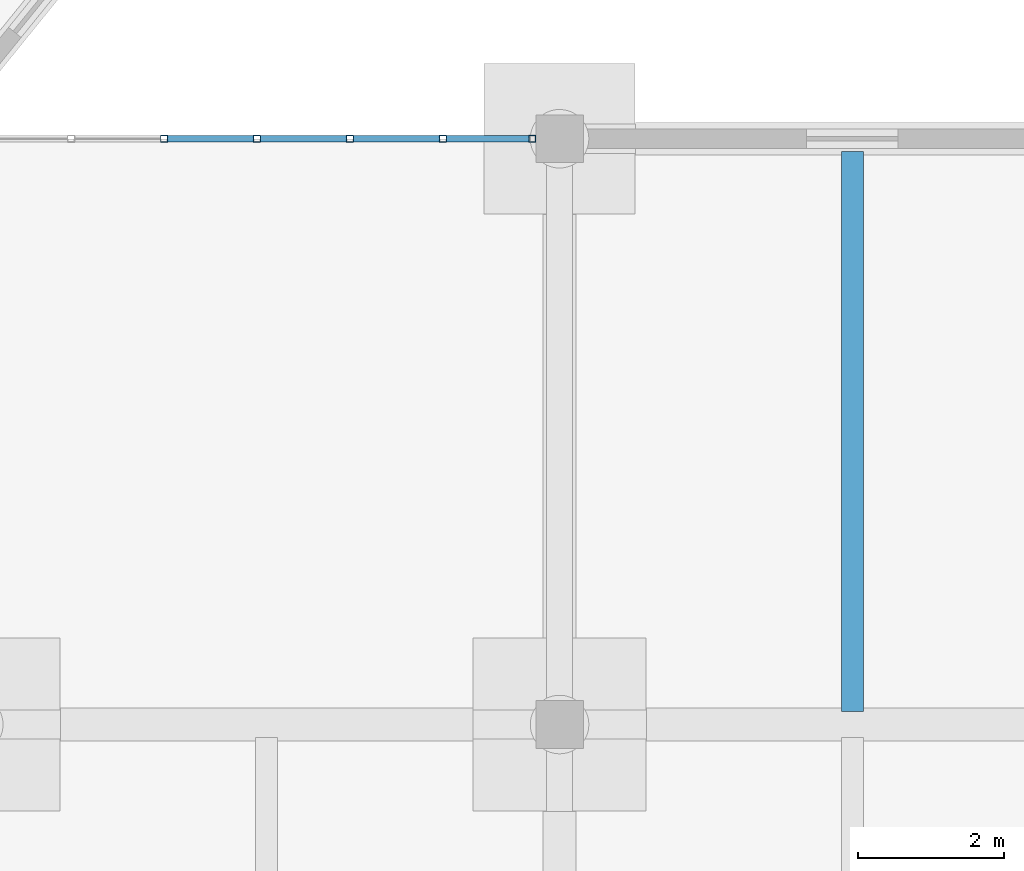
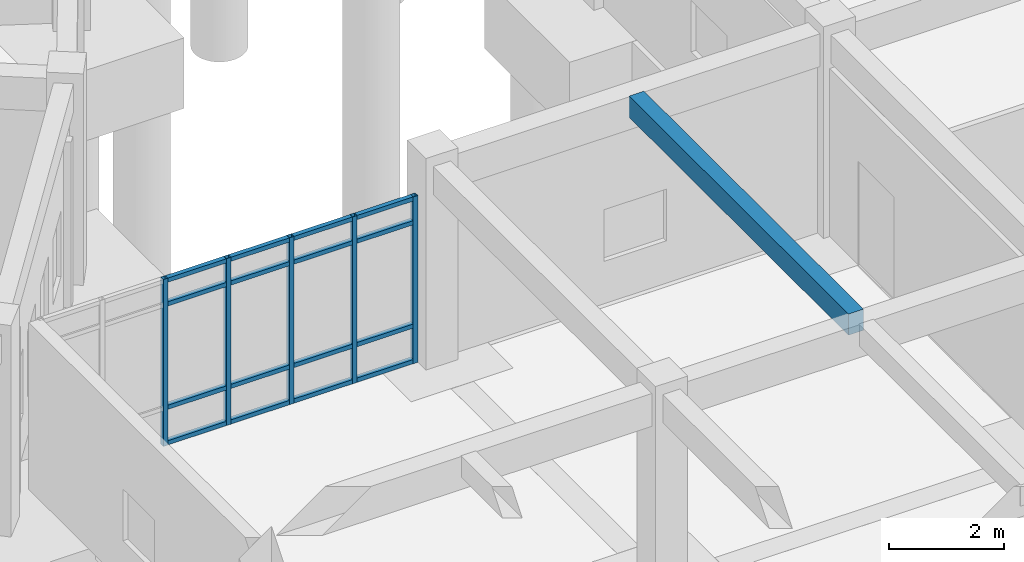
# One storey, part 83 of 153: 21 members, 1 beam, 1 element without a shape of its own.
"""IFC4 building model written with IfcOpenShell, lengths in metres."""

from ifc_helpers import new_model, si_unit, direction, frame, origin, origin_2d, place, context, subcontext, project, spatial, rectangle, hollow_rectangle, extrude, material, material_profile, profile_set, type_object, element, aggregate, save


model = new_model("IFC4")

# Units and contexts
model_context = context("Model", 3, precision=1e-05, world=origin(), true_north=direction((0.0, 1.0)))
body_context = subcontext(model_context, "Body", "Model", "MODEL_VIEW")
ifc_project = project(units=[si_unit("LENGTHUNIT", "METRE"), si_unit("AREAUNIT", "SQUARE_METRE"), si_unit("VOLUMEUNIT", "CUBIC_METRE"), si_unit("PLANEANGLEUNIT", "RADIAN"), si_unit("MASSUNIT", "GRAM", prefix="KILO")], contexts=[model_context])

# Site, building, storey
site_placement = place(None, origin())
site = spatial("IfcSite", under=ifc_project, at=site_placement, CompositionType="ELEMENT")
building_placement = place(site_placement, origin())
building = spatial("IfcBuilding", under=site, at=building_placement, Name="Celadon Cloister-Ring School", CompositionType="ELEMENT")
storey_placement = place(building_placement, origin())
storey = spatial("IfcBuildingStorey", under=building, at=storey_placement, Name="L00", CompositionType="ELEMENT", Elevation=0.0)

# Curtain wall, members
ifc_material_1 = material(Name="Aluminium EN AW-6063 T6", Category="aluminium")
curtain_wall_type = type_object("IfcCurtainWallType", Name="CW-10", PredefinedType="USERDEFINED", material=ifc_material_1)
curtain_wall_placement = place(storey_placement, origin())
curtain_wall = element("IfcCurtainWall", 1, at=curtain_wall_placement, inside=storey, type_object=curtain_wall_type, Name="Curtain Wall 0189", ObjectType="CURTAIN WALL", PredefinedType="USERDEFINED")
ifc_material_2 = material(Name="Aluminium EN AW-6063 T6", Category="aluminium")
ifc_material_profile_1 = material_profile(ifc_material_2, hollow_rectangle(XDim=0.094970703125, YDim=0.094970703125, WallThickness=0.00390625, at=origin_2d()), Name="RHS95X95X4")
ifc_profile_set_1 = profile_set([ifc_material_profile_1], Name="Aluminium EN AW-6063 T6")
member_type_1 = type_object("IfcMemberType", Name="CM-02", PredefinedType="MULLION", material=ifc_profile_set_1)
member_1_placement = place(storey_placement, frame((128.598388671875, 24.0, 0.0), z_axis=(0.0, 0.0, 1.0), x_axis=(0.0, 1.0, 0.0)))
member_1 = element("IfcMember", 2, at=member_1_placement, type_object=member_type_1, Name="CW-10 mullion 3", PredefinedType="MULLION", context=body_context, shape_type="SweptSolid", body=[
    extrude(hollow_rectangle(XDim=0.094970703125, YDim=0.094970703125, WallThickness=0.00390625, at=origin_2d()), origin(), (0.0, 0.0, 1.0), 3.550048828125),
])
member_2_placement = place(storey_placement, frame((129.867431640625, 24.0, 0.0), z_axis=(0.0, 0.0, 1.0), x_axis=(0.0, 1.0, 0.0)))
member_2 = element("IfcMember", 3, at=member_2_placement, type_object=member_type_1, Name="CW-10 mullion 4", PredefinedType="MULLION", context=body_context, shape_type="SweptSolid", body=[
    extrude(hollow_rectangle(XDim=0.094970703125, YDim=0.094970703125, WallThickness=0.00390625, at=origin_2d()), origin(), (0.0, 0.0, 1.0), 3.550048828125),
])
member_3_placement = place(storey_placement, frame((131.13671875, 24.0, 0.0), z_axis=(0.0, 0.0, 1.0), x_axis=(0.0, 1.0, 0.0)))
member_3 = element("IfcMember", 4, at=member_3_placement, type_object=member_type_1, Name="CW-10 mullion 5", PredefinedType="MULLION", context=body_context, shape_type="SweptSolid", body=[
    extrude(hollow_rectangle(XDim=0.094970703125, YDim=0.094970703125, WallThickness=0.00390625, at=origin_2d()), origin(), (0.0, 0.0, 1.0), 3.550048828125),
])
member_4_placement = place(storey_placement, frame((132.40576171875, 24.0, 0.0), z_axis=(0.0, 0.0, 1.0), x_axis=(0.0, 1.0, 0.0)))
member_4 = element("IfcMember", 5, at=member_4_placement, type_object=member_type_1, Name="CW-10 mullion 6", PredefinedType="MULLION", context=body_context, shape_type="SweptSolid", body=[
    extrude(hollow_rectangle(XDim=0.094970703125, YDim=0.094970703125, WallThickness=0.00390625, at=origin_2d()), origin(), (0.0, 0.0, 1.0), 3.550048828125),
])
member_5_placement = place(storey_placement, frame((133.62744140625, 24.0, 0.0), z_axis=(0.0, 0.0, 1.0), x_axis=(0.0, 1.0, 0.0)))
member_5 = element("IfcMember", 6, at=member_5_placement, type_object=member_type_1, Name="CW-10 mullion 7", PredefinedType="MULLION", context=body_context, shape_type="SweptSolid", body=[
    extrude(hollow_rectangle(XDim=0.094970703125, YDim=0.094970703125, WallThickness=0.00390625, at=origin_2d()), origin(), (0.0, 0.0, 1.0), 3.550048828125),
])
ifc_material_3 = material(Name="Aluminium EN AW-6063 T6", Category="aluminium")
ifc_material_profile_2 = material_profile(ifc_material_3, hollow_rectangle(XDim=0.090087890625, YDim=0.090087890625, WallThickness=0.00390625, at=origin_2d()), Name="RHS90X90X4")
ifc_profile_set_2 = profile_set([ifc_material_profile_2], Name="Aluminium EN AW-6063 T6")
member_type_2 = type_object("IfcMemberType", Name="CTM-02", PredefinedType="USERDEFINED", material=ifc_profile_set_2)
member_6_placement = place(storey_placement, frame((128.645751953125, 24.0, 0.044921875), z_axis=(1.0, 0.0, 0.0), x_axis=(0.0, 1.0, 0.0)))
member_6 = element("IfcMember", 7, at=member_6_placement, type_object=member_type_2, Name="CW-10 transom 3.1", ObjectType="TRANSOM", PredefinedType="USERDEFINED", context=body_context, shape_type="SweptSolid", body=[
    extrude(hollow_rectangle(XDim=0.090087890625, YDim=0.090087890625, WallThickness=0.00390625, at=origin_2d()), origin(), (0.0, 0.0, 1.0), 1.17431640625),
])
member_7_placement = place(storey_placement, frame((128.645751953125, 24.0, 0.800048828125), z_axis=(1.0, 0.0, 0.0), x_axis=(0.0, 1.0, 0.0)))
member_7 = element("IfcMember", 8, at=member_7_placement, type_object=member_type_2, Name="CW-10 transom 3.2", ObjectType="TRANSOM", PredefinedType="USERDEFINED", context=body_context, shape_type="SweptSolid", body=[
    extrude(hollow_rectangle(XDim=0.090087890625, YDim=0.090087890625, WallThickness=0.00390625, at=origin_2d()), origin(), (0.0, 0.0, 1.0), 1.17431640625),
])
member_8_placement = place(storey_placement, frame((128.645751953125, 24.0, 3.0), z_axis=(1.0, 0.0, 0.0), x_axis=(0.0, 1.0, 0.0)))
member_8 = element("IfcMember", 9, at=member_8_placement, type_object=member_type_2, Name="CW-10 transom 3.3", ObjectType="TRANSOM", PredefinedType="USERDEFINED", context=body_context, shape_type="SweptSolid", body=[
    extrude(hollow_rectangle(XDim=0.090087890625, YDim=0.090087890625, WallThickness=0.00390625, at=origin_2d()), origin(), (0.0, 0.0, 1.0), 1.17431640625),
])
member_9_placement = place(storey_placement, frame((128.645751953125, 24.0, 3.5048828125), z_axis=(1.0, 0.0, 0.0), x_axis=(0.0, 1.0, 0.0)))
member_9 = element("IfcMember", 10, at=member_9_placement, type_object=member_type_2, Name="CW-10 transom 3.4", ObjectType="TRANSOM", PredefinedType="USERDEFINED", context=body_context, shape_type="SweptSolid", body=[
    extrude(hollow_rectangle(XDim=0.090087890625, YDim=0.090087890625, WallThickness=0.00390625, at=origin_2d()), origin(), (0.0, 0.0, 1.0), 1.17431640625),
])
member_10_placement = place(storey_placement, frame((129.9150390625, 24.0, 0.044921875), z_axis=(1.0, 0.0, 0.0), x_axis=(0.0, 1.0, 0.0)))
member_10 = element("IfcMember", 11, at=member_10_placement, type_object=member_type_2, Name="CW-10 transom 4.1", ObjectType="TRANSOM", PredefinedType="USERDEFINED", context=body_context, shape_type="SweptSolid", body=[
    extrude(hollow_rectangle(XDim=0.090087890625, YDim=0.090087890625, WallThickness=0.00390625, at=origin_2d()), origin(), (0.0, 0.0, 1.0), 1.174072265625),
])
member_11_placement = place(storey_placement, frame((129.9150390625, 24.0, 0.800048828125), z_axis=(1.0, 0.0, 0.0), x_axis=(0.0, 1.0, 0.0)))
member_11 = element("IfcMember", 12, at=member_11_placement, type_object=member_type_2, Name="CW-10 transom 4.2", ObjectType="TRANSOM", PredefinedType="USERDEFINED", context=body_context, shape_type="SweptSolid", body=[
    extrude(hollow_rectangle(XDim=0.090087890625, YDim=0.090087890625, WallThickness=0.00390625, at=origin_2d()), origin(), (0.0, 0.0, 1.0), 1.174072265625),
])
member_12_placement = place(storey_placement, frame((129.9150390625, 24.0, 3.0), z_axis=(1.0, 0.0, 0.0), x_axis=(0.0, 1.0, 0.0)))
member_12 = element("IfcMember", 13, at=member_12_placement, type_object=member_type_2, Name="CW-10 transom 4.3", ObjectType="TRANSOM", PredefinedType="USERDEFINED", context=body_context, shape_type="SweptSolid", body=[
    extrude(hollow_rectangle(XDim=0.090087890625, YDim=0.090087890625, WallThickness=0.00390625, at=origin_2d()), origin(), (0.0, 0.0, 1.0), 1.174072265625),
])
member_13_placement = place(storey_placement, frame((129.9150390625, 24.0, 3.5048828125), z_axis=(1.0, 0.0, 0.0), x_axis=(0.0, 1.0, 0.0)))
member_13 = element("IfcMember", 14, at=member_13_placement, type_object=member_type_2, Name="CW-10 transom 4.4", ObjectType="TRANSOM", PredefinedType="USERDEFINED", context=body_context, shape_type="SweptSolid", body=[
    extrude(hollow_rectangle(XDim=0.090087890625, YDim=0.090087890625, WallThickness=0.00390625, at=origin_2d()), origin(), (0.0, 0.0, 1.0), 1.174072265625),
])
member_14_placement = place(storey_placement, frame((131.18408203125, 24.0, 0.044921875), z_axis=(1.0, 0.0, 0.0), x_axis=(0.0, 1.0, 0.0)))
member_14 = element("IfcMember", 15, at=member_14_placement, type_object=member_type_2, Name="CW-10 transom 5.1", ObjectType="TRANSOM", PredefinedType="USERDEFINED", context=body_context, shape_type="SweptSolid", body=[
    extrude(hollow_rectangle(XDim=0.090087890625, YDim=0.090087890625, WallThickness=0.00390625, at=origin_2d()), origin(), (0.0, 0.0, 1.0), 1.17431640625),
])
member_15_placement = place(storey_placement, frame((131.18408203125, 24.0, 0.800048828125), z_axis=(1.0, 0.0, 0.0), x_axis=(0.0, 1.0, 0.0)))
member_15 = element("IfcMember", 16, at=member_15_placement, type_object=member_type_2, Name="CW-10 transom 5.2", ObjectType="TRANSOM", PredefinedType="USERDEFINED", context=body_context, shape_type="SweptSolid", body=[
    extrude(hollow_rectangle(XDim=0.090087890625, YDim=0.090087890625, WallThickness=0.00390625, at=origin_2d()), origin(), (0.0, 0.0, 1.0), 1.17431640625),
])
member_16_placement = place(storey_placement, frame((131.18408203125, 24.0, 3.0), z_axis=(1.0, 0.0, 0.0), x_axis=(0.0, 1.0, 0.0)))
member_16 = element("IfcMember", 17, at=member_16_placement, type_object=member_type_2, Name="CW-10 transom 5.3", ObjectType="TRANSOM", PredefinedType="USERDEFINED", context=body_context, shape_type="SweptSolid", body=[
    extrude(hollow_rectangle(XDim=0.090087890625, YDim=0.090087890625, WallThickness=0.00390625, at=origin_2d()), origin(), (0.0, 0.0, 1.0), 1.17431640625),
])
member_17_placement = place(storey_placement, frame((131.18408203125, 24.0, 3.5048828125), z_axis=(1.0, 0.0, 0.0), x_axis=(0.0, 1.0, 0.0)))
member_17 = element("IfcMember", 18, at=member_17_placement, type_object=member_type_2, Name="CW-10 transom 5.4", ObjectType="TRANSOM", PredefinedType="USERDEFINED", context=body_context, shape_type="SweptSolid", body=[
    extrude(hollow_rectangle(XDim=0.090087890625, YDim=0.090087890625, WallThickness=0.00390625, at=origin_2d()), origin(), (0.0, 0.0, 1.0), 1.17431640625),
])
member_18_placement = place(storey_placement, frame((132.453369140625, 24.0, 0.044921875), z_axis=(1.0, 0.0, 0.0), x_axis=(0.0, 1.0, 0.0)))
member_18 = element("IfcMember", 19, at=member_18_placement, type_object=member_type_2, Name="CW-10 transom 6.1", ObjectType="TRANSOM", PredefinedType="USERDEFINED", context=body_context, shape_type="SweptSolid", body=[
    extrude(hollow_rectangle(XDim=0.090087890625, YDim=0.090087890625, WallThickness=0.00390625, at=origin_2d()), origin(), (0.0, 0.0, 1.0), 1.126708984375),
])
member_19_placement = place(storey_placement, frame((132.453369140625, 24.0, 0.800048828125), z_axis=(1.0, 0.0, 0.0), x_axis=(0.0, 1.0, 0.0)))
member_19 = element("IfcMember", 20, at=member_19_placement, type_object=member_type_2, Name="CW-10 transom 6.2", ObjectType="TRANSOM", PredefinedType="USERDEFINED", context=body_context, shape_type="SweptSolid", body=[
    extrude(hollow_rectangle(XDim=0.090087890625, YDim=0.090087890625, WallThickness=0.00390625, at=origin_2d()), origin(), (0.0, 0.0, 1.0), 1.126708984375),
])
member_20_placement = place(storey_placement, frame((132.453369140625, 24.0, 3.0), z_axis=(1.0, 0.0, 0.0), x_axis=(0.0, 1.0, 0.0)))
member_20 = element("IfcMember", 21, at=member_20_placement, type_object=member_type_2, Name="CW-10 transom 6.3", ObjectType="TRANSOM", PredefinedType="USERDEFINED", context=body_context, shape_type="SweptSolid", body=[
    extrude(hollow_rectangle(XDim=0.090087890625, YDim=0.090087890625, WallThickness=0.00390625, at=origin_2d()), origin(), (0.0, 0.0, 1.0), 1.126708984375),
])
member_21_placement = place(storey_placement, frame((132.453369140625, 24.0, 3.5048828125), z_axis=(1.0, 0.0, 0.0), x_axis=(0.0, 1.0, 0.0)))
member_21 = element("IfcMember", 22, at=member_21_placement, type_object=member_type_2, Name="CW-10 transom 6.4", ObjectType="TRANSOM", PredefinedType="USERDEFINED", context=body_context, shape_type="SweptSolid", body=[
    extrude(hollow_rectangle(XDim=0.090087890625, YDim=0.090087890625, WallThickness=0.00390625, at=origin_2d()), origin(), (0.0, 0.0, 1.0), 1.126708984375),
])
aggregate(curtain_wall, [member_1, member_2, member_3, member_4, member_5, member_6, member_7, member_8, member_9, member_10, member_11, member_12, member_13, member_14, member_15, member_16, member_17, member_18, member_19, member_20, member_21])

# Beam
ifc_material_4 = material(Name="Concrete C35/45", Category="concrete")
ifc_material_profile_3 = material_profile(ifc_material_4, rectangle(XDim=0.300048828125, YDim=0.449951171875, at=origin_2d()), Name="RC300X450")
ifc_profile_set_3 = profile_set([ifc_material_profile_3], Name="Concrete C35/45")
beam_type = type_object("IfcBeamType", Name="JT-01", PredefinedType="JOIST", material=ifc_profile_set_3)
beam_placement = place(storey_placement, frame((138.0, 16.175048828125, 4.054931640625), z_axis=(0.0, 1.0, 0.0), x_axis=(-1.0, 0.0, 0.0)))
element("IfcBeam", 23, at=beam_placement, inside=storey, type_object=beam_type, Name="Beam 1261", PredefinedType="JOIST", context=body_context, shape_type="SweptSolid", body=[
    extrude(rectangle(XDim=0.300048828125, YDim=0.449951171875, at=origin_2d()), origin(), (0.0, 0.0, 1.0), 7.64990234375),
])

save(model, "model.ifc")
